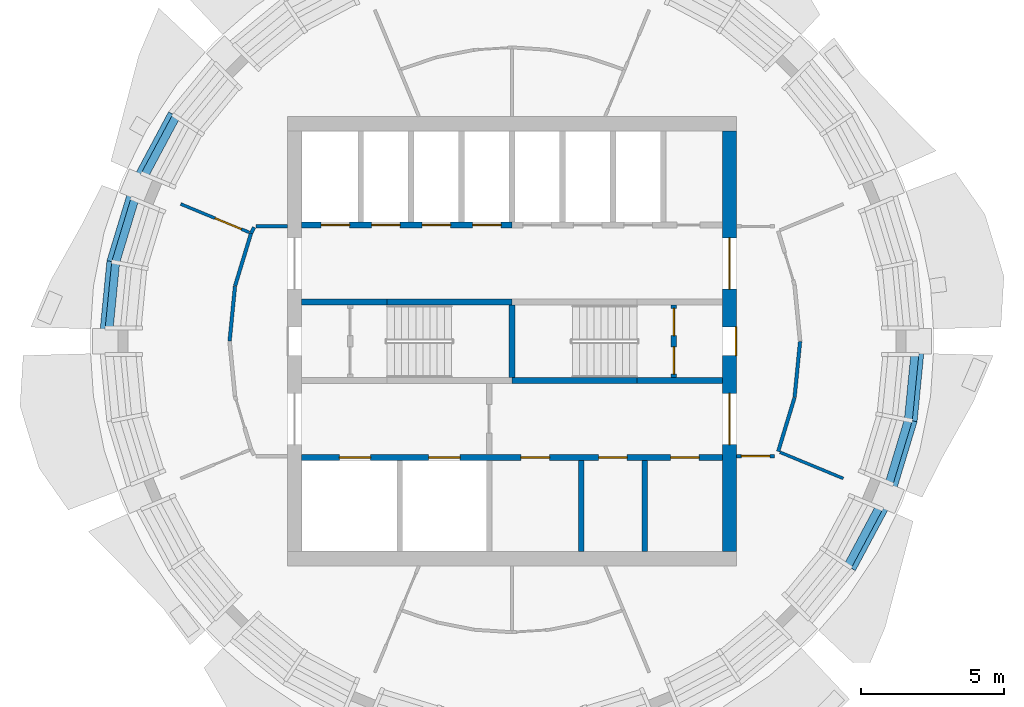
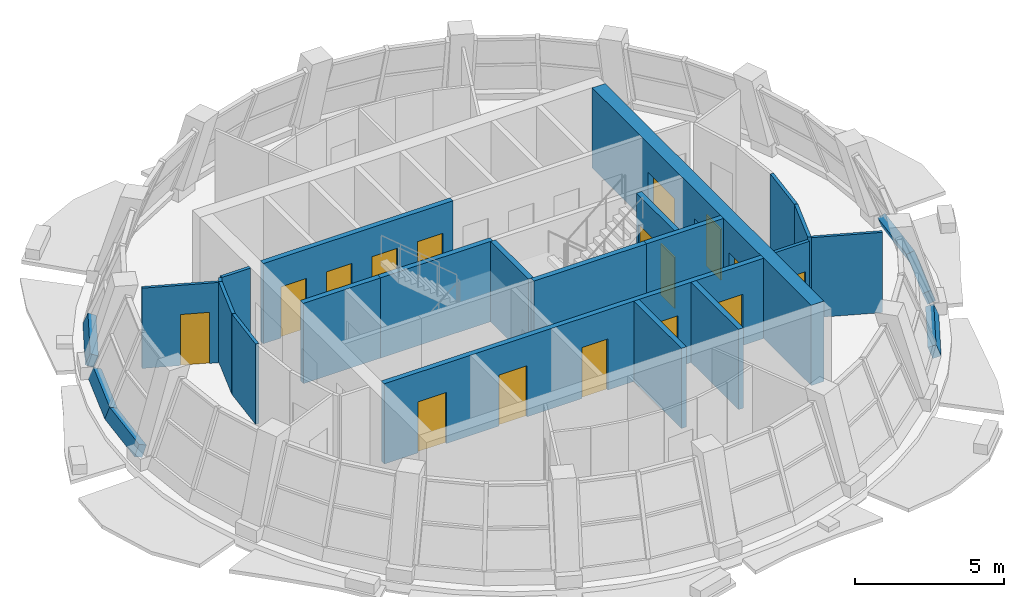
# One storey, part 6 of 12: 26 walls, 16 doors, 16 openings.
"""IFC4 building model written with IfcOpenShell, lengths in metres."""

from ifc_helpers import new_model, si_unit, direction, frame, frame_2d, origin, place, context, subcontext, project, spatial, polyline, rectangle, outline, extrude, material, layer, layer_set, type_object, element, fill, save


model = new_model("IFC4")

# Units and contexts
model_context = context("Model", 3, precision=1e-05, world=origin(), true_north=direction((0.0, 1.0)))
body_context = subcontext(model_context, "Body", "Model", "MODEL_VIEW")
ifc_project = project(units=[si_unit("LENGTHUNIT", "METRE"), si_unit("AREAUNIT", "SQUARE_METRE"), si_unit("VOLUMEUNIT", "CUBIC_METRE"), si_unit("PLANEANGLEUNIT", "RADIAN"), si_unit("MASSUNIT", "GRAM", prefix="KILO")], contexts=[model_context])

# Site, building, storey
site_placement = place(None, origin())
site = spatial("IfcSite", under=ifc_project, at=site_placement, CompositionType="ELEMENT")
building_placement = place(site_placement, origin())
building = spatial("IfcBuilding", under=site, at=building_placement, Name="Polderwave Tower", CompositionType="ELEMENT")
storey_placement = place(building_placement, frame((0.0, 0.0, 231.199951171875)))
storey = spatial("IfcBuildingStorey", under=building, at=storey_placement, Name="L63", CompositionType="ELEMENT", Elevation=231.199951171875)

# Wall, openings, doors
ifc_material_1 = material(Name="Concrete C60/75", Category="concrete")
ifc_layer_1 = layer(ifc_material_1, 0.5)
ifc_layer_set_1 = layer_set([ifc_layer_1], Name="CORE WALL 500 C60/75")
wall_type_1 = type_object("IfcWallType", Name="CORE WALL 500 C60/75", PredefinedType="SHEAR", material=ifc_layer_set_1)
wall_1_placement = place(storey_placement, frame((7.6240234375, -7.3740234375, 0.0), z_axis=(0.0, 0.0, 1.0), x_axis=(0.0, 1.0, 0.0)))
wall_1 = element("IfcWall", 1, at=wall_1_placement, inside=storey, type_object=wall_type_1, Name="ST-CORE-L63-E", PredefinedType="SHEAR", context=body_context, shape_type="SweptSolid", body=[
    extrude(rectangle(XDim=14.748046875, YDim=0.5, at=frame_2d((7.3740234375, 0.0))), origin(), (0.0, 0.0, 1.0), 3.300048828125),
])
opening_1_placement = place(wall_1_placement, frame((6.8740234375, 0.0, 0.0)))
opening_1 = element("IfcOpeningElement", 2, at=opening_1_placement, cuts=wall_1, Name="Opening L63-D22", PredefinedType="OPENING", context=body_context, shape_type="SweptSolid", body=[
    extrude(rectangle(XDim=1.0, YDim=2.10009765625, at=frame_2d((0.5, 1.050048828125))), frame((0.0, 0.260009765625, 0.0), z_axis=(0.0, -1.0, 0.0), x_axis=(1.0, 0.0, 0.0)), (0.0, 0.0, 1.0), 0.52001953125),
])
opening_2_placement = place(wall_1_placement, frame((3.74951171875, 0.0, 0.0)))
opening_2 = element("IfcOpeningElement", 3, at=opening_2_placement, cuts=wall_1, Name="Opening L63-D23", PredefinedType="OPENING", context=body_context, shape_type="SweptSolid", body=[
    extrude(rectangle(XDim=1.800048828125, YDim=2.10009765625, at=frame_2d((0.89990234375, 1.050048828125))), frame((0.0, 0.260009765625, 0.0), z_axis=(0.0, -1.0, 0.0), x_axis=(1.0, 0.0, 0.0)), (0.0, 0.0, 1.0), 0.52001953125),
])
opening_3_placement = place(wall_1_placement, frame((9.198486328125, 0.0, 0.0)))
opening_3 = element("IfcOpeningElement", 4, at=opening_3_placement, cuts=wall_1, Name="Opening L63-D24", PredefinedType="OPENING", context=body_context, shape_type="SweptSolid", body=[
    extrude(rectangle(XDim=1.800048828125, YDim=2.10009765625, at=frame_2d((0.89990234375, 1.050048828125))), frame((0.0, 0.260009765625, 0.0), z_axis=(0.0, -1.0, 0.0), x_axis=(1.0, 0.0, 0.0)), (0.0, 0.0, 1.0), 0.52001953125),
])
ifc_material_2 = material(Name="Steel fire door", Category="steel")
door_type_1 = type_object("IfcDoorType", Name="Lobby entry door pair 1800", OperationType="DOUBLE_DOOR_SINGLE_SWING", PredefinedType="DOOR", material=ifc_material_2)
door_1_placement = place(opening_2_placement, frame((1.800048828125, 0.0, 0.0), z_axis=(0.0, 0.0, 1.0), x_axis=(-1.0, 0.0, 0.0)))
door_1 = element("IfcDoor", 5, at=door_1_placement, inside=storey, type_object=door_type_1, Name="South lobby entry door", OperationType="DOUBLE_DOOR_SINGLE_SWING", OverallHeight=2.10009765625, OverallWidth=1.800048828125, PredefinedType="DOOR", context=body_context, shape_type="SweptSolid", body=[
    extrude(rectangle(XDim=1.800048828125, YDim=2.10009765625, at=frame_2d((0.89990234375, 1.050048828125))), frame((0.0, 0.02490234375, 0.0), z_axis=(0.0, -1.0, 0.0), x_axis=(1.0, 0.0, 0.0)), (0.0, 0.0, 1.0), 0.050048828125),
])
fill(opening_2, door_1)
door_2_placement = place(opening_3_placement, frame((1.800048828125, 0.0, 0.0), z_axis=(0.0, 0.0, 1.0), x_axis=(-1.0, 0.0, 0.0)))
door_2 = element("IfcDoor", 6, at=door_2_placement, inside=storey, type_object=door_type_1, Name="North lobby entry door", OperationType="DOUBLE_DOOR_SINGLE_SWING", OverallHeight=2.10009765625, OverallWidth=1.800048828125, PredefinedType="DOOR", context=body_context, shape_type="SweptSolid", body=[
    extrude(rectangle(XDim=1.800048828125, YDim=2.10009765625, at=frame_2d((0.89990234375, 1.050048828125))), frame((0.0, 0.02490234375, 0.0), z_axis=(0.0, -1.0, 0.0), x_axis=(1.0, 0.0, 0.0)), (0.0, 0.0, 1.0), 0.050048828125),
])
fill(opening_3, door_2)
door_type_2 = type_object("IfcDoorType", Name="Stair door 1000", OperationType="NOTDEFINED", PredefinedType="DOOR", material=ifc_material_2)
door_3_placement = place(opening_1_placement, frame((1.0, 0.0, 0.0), z_axis=(0.0, 0.0, 1.0), x_axis=(-1.0, 0.0, 0.0)))
door_3 = element("IfcDoor", 7, at=door_3_placement, inside=storey, type_object=door_type_2, Name="Stair B entry door", OperationType="SINGLE_SWING_LEFT", OverallHeight=2.10009765625, OverallWidth=1.0, PredefinedType="DOOR", context=body_context, shape_type="SweptSolid", body=[
    extrude(rectangle(XDim=1.0, YDim=2.10009765625, at=frame_2d((0.5, 1.050048828125))), frame((0.0, 0.25, 0.0), z_axis=(0.0, -1.0, 0.0), x_axis=(1.0, 0.0, 0.0)), (0.0, 0.0, 1.0), 0.050048828125),
])
fill(opening_1, door_3)

# Walls
ifc_material_3 = material(Name="Concrete C50/60 (board-marked)", Category="concrete")
ifc_layer_2 = layer(ifc_material_3, 0.300048828125)
ifc_layer_set_2 = layer_set([ifc_layer_2], Name="Concrete spandrel upstand C50/60")
wall_type_2 = type_object("IfcWallType", Name="Concrete spandrel upstand C50/60", PredefinedType="SOLIDWALL", material=ifc_layer_set_2)
wall_2_placement = place(storey_placement, frame((-12.0380859375, 8.043701171875, 0.0), z_axis=(-0.824402860411, 0.441126603603, 0.354636776631), x_axis=(-0.471787066311, -0.881712517728, 1.195964e-05)))
element("IfcWall", 8, at=wall_2_placement, inside=storey, type_object=wall_type_2, Name="Spandrel L63 7b", PredefinedType="SOLIDWALL", context=body_context, shape_type="SweptSolid", body=[
    extrude(outline(polyline([(0.0, 0.0), (2.433854395432529, 5.551115123125783e-17), (2.4167965805720697, 0.48119815178094155), (0.0169062473931503, 0.4812599802189296), (0.0, 0.0)])), origin(), (0.0, 0.0, -1.0), 0.300048828125),
])
wall_3_placement = place(storey_placement, frame((-13.494384765625, 5.15380859375, 0.0), z_axis=(-0.894631168658, 0.271094631402, 0.355165838574), x_axis=(-0.290000037325, -0.957026634075, 4.815507e-06)))
element("IfcWall", 9, at=wall_3_placement, inside=storey, type_object=wall_type_2, Name="Spandrel L63 8a", PredefinedType="SOLIDWALL", context=body_context, shape_type="SweptSolid", body=[
    extrude(outline(polyline([(0.0, 0.0), (2.433930962796164, 0.0), (2.417090508229403, 0.4813200037687998), (0.017066904765498103, 0.48134490520427625), (0.0, 0.0)])), origin(), (0.0, 0.0, -1.0), 0.300048828125),
])
wall_4_placement = place(storey_placement, frame((-14.2001953125, 2.824462890625, 0.0), z_axis=(-0.93035064291, 0.091755306795, 0.355005133642), x_axis=(-0.098145054237, -0.995172119915, 8.475565e-06)))
element("IfcWall", 10, at=wall_4_placement, inside=storey, type_object=wall_type_2, Name="Spandrel L63 8b", PredefinedType="SOLIDWALL", context=body_context, shape_type="SweptSolid", body=[
    extrude(outline(polyline([(0.0, 0.0), (2.4333735645715304, 1.3877787807814457e-17), (2.4165326581597246, 0.4812791180361181), (0.016756375359067092, 0.4813229358100159), (0.0, 0.0)])), origin(), (0.0, 0.0, -1.0), 0.300048828125),
])
wall_5_placement = place(storey_placement, frame((12.0380859375, -8.043701171875, 0.0), z_axis=(0.824402860411, -0.441126603603, 0.354636776631), x_axis=(0.471787066311, 0.881712517728, 1.195964e-05)))
element("IfcWall", 11, at=wall_5_placement, inside=storey, type_object=wall_type_2, Name="Spandrel L63 15b", PredefinedType="SOLIDWALL", context=body_context, shape_type="SweptSolid", body=[
    extrude(outline(polyline([(0.0, 0.0), (2.433854395432529, 5.551115123125783e-17), (2.4167965805720697, 0.48119815178094155), (0.0169062473931503, 0.4812599802189296), (0.0, 0.0)])), origin(), (0.0, 0.0, -1.0), 0.300048828125),
])
wall_6_placement = place(storey_placement, frame((13.494384765625, -5.15380859375, 0.0), z_axis=(0.894631168658, -0.271094631402, 0.355165838574), x_axis=(0.290000037325, 0.957026634075, 4.815507e-06)))
element("IfcWall", 12, at=wall_6_placement, inside=storey, type_object=wall_type_2, Name="Spandrel L63 16a", PredefinedType="SOLIDWALL", context=body_context, shape_type="SweptSolid", body=[
    extrude(outline(polyline([(0.0, 0.0), (2.433930962796164, 0.0), (2.417090508229403, 0.4813200037687998), (0.017066904765498103, 0.48134490520427625), (0.0, 0.0)])), origin(), (0.0, 0.0, -1.0), 0.300048828125),
])
wall_7_placement = place(storey_placement, frame((14.2001953125, -2.824462890625, 0.0), z_axis=(0.93035064291, -0.091755306795, 0.355005133642), x_axis=(0.098145054237, 0.995172119915, 8.475565e-06)))
element("IfcWall", 13, at=wall_7_placement, inside=storey, type_object=wall_type_2, Name="Spandrel L63 16b", PredefinedType="SOLIDWALL", context=body_context, shape_type="SweptSolid", body=[
    extrude(outline(polyline([(0.0, 0.0), (2.4333735645715304, 1.3877787807814457e-17), (2.4165326581597246, 0.4812791180361181), (0.016756375359067092, 0.4813229358100159), (0.0, 0.0)])), origin(), (0.0, 0.0, -1.0), 0.300048828125),
])
ifc_material_4 = material(Name="Gypsum board partition")
ifc_layer_3 = layer(ifc_material_4, 0.199951171875)
ifc_layer_set_3 = layer_set([ifc_layer_3], Name="Core room partition 200")
wall_type_3 = type_object("IfcWallType", Name="Core room partition 200", PredefinedType="PARTITIONING", material=ifc_layer_set_3)
for number, where, z_axis, x_axis, name in (
    (14, (2.42919921875, -7.3740234375, 0.0), (0.0, 0.0, 1.0), (0.0, 1.0, 0.0), "L63 room partition S1"),
    (15, (4.648681640625, -7.3740234375, 0.0), (0.0, 0.0, 1.0), (0.0, 1.0, 0.0), "L63 room partition S2"),
):
    element("IfcWall", number, at=place(storey_placement, frame(where, z_axis=z_axis, x_axis=x_axis)), inside=storey, type_object=wall_type_3, Name=name, PredefinedType="PARTITIONING", context=body_context, shape_type="SweptSolid", body=[
        extrude(rectangle(XDim=3.199951171875, YDim=0.199951171875, at=frame_2d((1.60009765625, 0.0))), origin(), (0.0, 0.0, 1.0), 3.300048828125),
    ])

# Wall, openings, doors
wall_8_placement = place(storey_placement, frame((5.674072265625, -1.27490234375, 0.0), z_axis=(0.0, 0.0, 1.0), x_axis=(0.0, 1.0, 0.0)))
wall_8 = element("IfcWall", 16, at=wall_8_placement, inside=storey, type_object=wall_type_3, Name="L63 smoke lobby wall B", PredefinedType="PARTITIONING", context=body_context, shape_type="SweptSolid", body=[
    extrude(rectangle(XDim=2.5498046875, YDim=0.199951171875, at=frame_2d((1.27490234375, 0.0))), origin(), (0.0, 0.0, 1.0), 3.300048828125),
])
opening_4_placement = place(wall_8_placement, frame((0.125, 0.0, 0.0)))
opening_4 = element("IfcOpeningElement", 17, at=opening_4_placement, cuts=wall_8, Name="Opening L63-D12", PredefinedType="OPENING", context=body_context, shape_type="SweptSolid", body=[
    extrude(rectangle(XDim=0.949951171875, YDim=2.10009765625, at=frame_2d((0.47509765625, 1.050048828125))), frame((0.0, 0.10986328125, 0.0), z_axis=(0.0, -1.0, 0.0), x_axis=(1.0, 0.0, 0.0)), (0.0, 0.0, 1.0), 0.219970703125),
])
opening_5_placement = place(wall_8_placement, frame((1.47509765625, 0.0, 0.0)))
opening_5 = element("IfcOpeningElement", 18, at=opening_5_placement, cuts=wall_8, Name="Opening L63-D13", PredefinedType="OPENING", context=body_context, shape_type="SweptSolid", body=[
    extrude(rectangle(XDim=0.949951171875, YDim=2.10009765625, at=frame_2d((0.47509765625, 1.050048828125))), frame((0.0, 0.10986328125, 0.0), z_axis=(0.0, -1.0, 0.0), x_axis=(1.0, 0.0, 0.0)), (0.0, 0.0, 1.0), 0.219970703125),
])
door_type_3 = type_object("IfcDoorType", Name="Smoke lobby door 950", OperationType="NOTDEFINED", PredefinedType="DOOR", material=ifc_material_2)
door_4_placement = place(opening_4_placement, frame((0.949951171875, 0.0, 0.0), z_axis=(0.0, 0.0, 1.0), x_axis=(-1.0, 0.0, 0.0)))
door_4 = element("IfcDoor", 19, at=door_4_placement, inside=storey, type_object=door_type_3, Name="Stair B smoke lobby inner door", OperationType="SINGLE_SWING_RIGHT", OverallHeight=2.10009765625, OverallWidth=0.949951171875, PredefinedType="DOOR", context=body_context, shape_type="SweptSolid", body=[
    extrude(rectangle(XDim=0.949951171875, YDim=2.10009765625, at=frame_2d((0.47509765625, 1.050048828125))), frame((0.0, 0.02490234375, 0.0), z_axis=(0.0, -1.0, 0.0), x_axis=(1.0, 0.0, 0.0)), (0.0, 0.0, 1.0), 0.050048828125),
])
fill(opening_4, door_4)
door_5_placement = place(opening_5_placement, frame((0.949951171875, 0.0, 0.0), z_axis=(0.0, 0.0, 1.0), x_axis=(-1.0, 0.0, 0.0)))
door_5 = element("IfcDoor", 20, at=door_5_placement, inside=storey, type_object=door_type_3, Name="Stair B smoke lobby inner door", OperationType="SINGLE_SWING_LEFT", OverallHeight=2.10009765625, OverallWidth=0.949951171875, PredefinedType="DOOR", context=body_context, shape_type="SweptSolid", body=[
    extrude(rectangle(XDim=0.949951171875, YDim=2.10009765625, at=frame_2d((0.47509765625, 1.050048828125))), frame((0.0, 0.02490234375, 0.0), z_axis=(0.0, -1.0, 0.0), x_axis=(1.0, 0.0, 0.0)), (0.0, 0.0, 1.0), 0.050048828125),
])
fill(opening_5, door_5)

ifc_material_5 = material(Name="Concrete C50/60", Category="concrete")
ifc_layer_4 = layer(ifc_material_5, 0.199951171875)
ifc_layer_set_4 = layer_set([ifc_layer_4], Name="Core web wall 200")
wall_type_4 = type_object("IfcWallType", Name="Core web wall 200", PredefinedType="SHEAR", material=ifc_layer_set_4)
wall_9_placement = place(storey_placement, frame((-7.3740234375, -4.073974609375, 0.0), z_axis=(0.0, 0.0, 1.0), x_axis=(1.0, 0.0, 0.0)))
wall_9 = element("IfcWall", 21, at=wall_9_placement, inside=storey, type_object=wall_type_4, Name="L63 south front wall", PredefinedType="SHEAR", context=body_context, shape_type="SweptSolid", body=[
    extrude(rectangle(XDim=14.748046875, YDim=0.199951171875, at=frame_2d((7.3740234375, 0.0))), origin(), (0.0, 0.0, 1.0), 3.300048828125),
])
opening_6_placement = place(wall_9_placement, frame((1.318603515625, 0.0, 0.0)))
opening_6 = element("IfcOpeningElement", 22, at=opening_6_placement, cuts=wall_9, Name="Opening L63-D01", PredefinedType="OPENING", context=body_context, shape_type="SweptSolid", body=[
    extrude(rectangle(XDim=1.10009765625, YDim=2.10009765625, at=frame_2d((0.550048828125, 1.050048828125))), frame((0.0, 0.10986328125, 0.0), z_axis=(0.0, -1.0, 0.0), x_axis=(1.0, 0.0, 0.0)), (0.0, 0.0, 1.0), 0.219970703125),
])
opening_7_placement = place(wall_9_placement, frame((4.45556640625, 0.0, 0.0)))
opening_7 = element("IfcOpeningElement", 23, at=opening_7_placement, cuts=wall_9, Name="Opening L63-D02", PredefinedType="OPENING", context=body_context, shape_type="SweptSolid", body=[
    extrude(rectangle(XDim=1.10009765625, YDim=2.10009765625, at=frame_2d((0.550048828125, 1.050048828125))), frame((0.0, 0.10986328125, 0.0), z_axis=(0.0, -1.0, 0.0), x_axis=(1.0, 0.0, 0.0)), (0.0, 0.0, 1.0), 0.219970703125),
])
opening_8_placement = place(wall_9_placement, frame((7.688720703125, 0.0, 0.0)))
opening_8 = element("IfcOpeningElement", 24, at=opening_8_placement, cuts=wall_9, Name="Opening L63-D15", PredefinedType="OPENING", context=body_context, shape_type="SweptSolid", body=[
    extrude(rectangle(XDim=1.0, YDim=2.10009765625, at=frame_2d((0.5, 1.050048828125))), frame((0.0, 0.10986328125, 0.0), z_axis=(0.0, -1.0, 0.0), x_axis=(1.0, 0.0, 0.0)), (0.0, 0.0, 1.0), 0.219970703125),
])
opening_9_placement = place(wall_9_placement, frame((10.412841796875, 0.0, 0.0)))
opening_9 = element("IfcOpeningElement", 25, at=opening_9_placement, cuts=wall_9, Name="Opening L63-D16", PredefinedType="OPENING", context=body_context, shape_type="SweptSolid", body=[
    extrude(rectangle(XDim=1.0, YDim=2.10009765625, at=frame_2d((0.5, 1.050048828125))), frame((0.0, 0.10986328125, 0.0), z_axis=(0.0, -1.0, 0.0), x_axis=(1.0, 0.0, 0.0)), (0.0, 0.0, 1.0), 0.219970703125),
])
opening_10_placement = place(wall_9_placement, frame((12.935302734375, 0.0, 0.0)))
opening_10 = element("IfcOpeningElement", 26, at=opening_10_placement, cuts=wall_9, Name="Opening L63-D17", PredefinedType="OPENING", context=body_context, shape_type="SweptSolid", body=[
    extrude(rectangle(XDim=1.0, YDim=2.10009765625, at=frame_2d((0.5, 1.050048828125))), frame((0.0, 0.10986328125, 0.0), z_axis=(0.0, -1.0, 0.0), x_axis=(1.0, 0.0, 0.0)), (0.0, 0.0, 1.0), 0.219970703125),
])
ifc_material_6 = material(Name="Stainless steel", Category="steel")
door_type_4 = type_object("IfcDoorType", Name="Fire-fighting lift landing door 1100", OperationType="DOUBLE_DOOR_SLIDING", PredefinedType="DOOR", material=ifc_material_6)
door_6_placement = place(opening_6_placement, origin())
door_6 = element("IfcDoor", 27, at=door_6_placement, inside=storey, type_object=door_type_4, Name="Fire-fighting lift FF1 landing door", OperationType="DOUBLE_DOOR_SLIDING", OverallHeight=2.10009765625, OverallWidth=1.10009765625, PredefinedType="DOOR", context=body_context, shape_type="SweptSolid", body=[
    extrude(rectangle(XDim=1.10009765625, YDim=2.10009765625, at=frame_2d((0.550048828125, 1.050048828125))), frame((0.0, 0.02490234375, 0.0), z_axis=(0.0, -1.0, 0.0), x_axis=(1.0, 0.0, 0.0)), (0.0, 0.0, 1.0), 0.050048828125),
])
fill(opening_6, door_6)
door_7_placement = place(opening_7_placement, origin())
door_7 = element("IfcDoor", 28, at=door_7_placement, inside=storey, type_object=door_type_4, Name="Fire-fighting lift FF2 landing door", OperationType="DOUBLE_DOOR_SLIDING", OverallHeight=2.10009765625, OverallWidth=1.10009765625, PredefinedType="DOOR", context=body_context, shape_type="SweptSolid", body=[
    extrude(rectangle(XDim=1.10009765625, YDim=2.10009765625, at=frame_2d((0.550048828125, 1.050048828125))), frame((0.0, 0.02490234375, 0.0), z_axis=(0.0, -1.0, 0.0), x_axis=(1.0, 0.0, 0.0)), (0.0, 0.0, 1.0), 0.050048828125),
])
fill(opening_7, door_7)
ifc_material_7 = material(Name="Timber door leaf", Category="wood")
door_type_5 = type_object("IfcDoorType", Name="Room door 1000", OperationType="NOTDEFINED", PredefinedType="DOOR", material=ifc_material_7)
door_8_placement = place(opening_8_placement, frame((1.0, 0.0, 0.0), z_axis=(0.0, 0.0, 1.0), x_axis=(-1.0, 0.0, 0.0)))
door_8 = element("IfcDoor", 29, at=door_8_placement, inside=storey, type_object=door_type_5, Name="IT room door", OperationType="SINGLE_SWING_LEFT", OverallHeight=2.10009765625, OverallWidth=1.0, PredefinedType="DOOR", context=body_context, shape_type="SweptSolid", body=[
    extrude(rectangle(XDim=1.0, YDim=2.10009765625, at=frame_2d((0.5, 1.050048828125))), frame((0.0, 0.02490234375, 0.0), z_axis=(0.0, -1.0, 0.0), x_axis=(1.0, 0.0, 0.0)), (0.0, 0.0, 1.0), 0.050048828125),
])
fill(opening_8, door_8)
door_9_placement = place(opening_9_placement, frame((1.0, 0.0, 0.0), z_axis=(0.0, 0.0, 1.0), x_axis=(-1.0, 0.0, 0.0)))
door_9 = element("IfcDoor", 30, at=door_9_placement, inside=storey, type_object=door_type_5, Name="Housekeeping store door", OperationType="SINGLE_SWING_LEFT", OverallHeight=2.10009765625, OverallWidth=1.0, PredefinedType="DOOR", context=body_context, shape_type="SweptSolid", body=[
    extrude(rectangle(XDim=1.0, YDim=2.10009765625, at=frame_2d((0.5, 1.050048828125))), frame((0.0, 0.02490234375, 0.0), z_axis=(0.0, -1.0, 0.0), x_axis=(1.0, 0.0, 0.0)), (0.0, 0.0, 1.0), 0.050048828125),
])
fill(opening_9, door_9)
door_10_placement = place(opening_10_placement, frame((1.0, 0.0, 0.0), z_axis=(0.0, 0.0, 1.0), x_axis=(-1.0, 0.0, 0.0)))
door_10 = element("IfcDoor", 31, at=door_10_placement, inside=storey, type_object=door_type_5, Name="Store door", OperationType="SINGLE_SWING_LEFT", OverallHeight=2.10009765625, OverallWidth=1.0, PredefinedType="DOOR", context=body_context, shape_type="SweptSolid", body=[
    extrude(rectangle(XDim=1.0, YDim=2.10009765625, at=frame_2d((0.5, 1.050048828125))), frame((0.0, 0.02490234375, 0.0), z_axis=(0.0, -1.0, 0.0), x_axis=(1.0, 0.0, 0.0)), (0.0, 0.0, 1.0), 0.050048828125),
])
fill(opening_10, door_10)

wall_10_placement = place(storey_placement, frame((-7.3740234375, 4.073974609375, 0.0), z_axis=(0.0, 0.0, 1.0), x_axis=(1.0, 0.0, 0.0)))
wall_10 = element("IfcWall", 32, at=wall_10_placement, inside=storey, type_object=wall_type_4, Name="L63 north front wall 1", PredefinedType="SHEAR", context=body_context, shape_type="SweptSolid", body=[
    extrude(rectangle(XDim=7.3740234375, YDim=0.199951171875, at=frame_2d((3.68701171875, 0.0))), origin(), (0.0, 0.0, 1.0), 3.300048828125),
])
opening_11_placement = place(wall_10_placement, frame((0.68408203125, 0.0, 0.0)))
opening_11 = element("IfcOpeningElement", 33, at=opening_11_placement, cuts=wall_10, Name="Opening L63-D03", PredefinedType="OPENING", context=body_context, shape_type="SweptSolid", body=[
    extrude(rectangle(XDim=1.0, YDim=2.10009765625, at=frame_2d((0.5, 1.050048828125))), frame((0.0, 0.10986328125, 0.0), z_axis=(0.0, -1.0, 0.0), x_axis=(1.0, 0.0, 0.0)), (0.0, 0.0, 1.0), 0.219970703125),
])
opening_12_placement = place(wall_10_placement, frame((2.45263671875, 0.0, 0.0)))
opening_12 = element("IfcOpeningElement", 34, at=opening_12_placement, cuts=wall_10, Name="Opening L63-D04", PredefinedType="OPENING", context=body_context, shape_type="SweptSolid", body=[
    extrude(rectangle(XDim=1.0, YDim=2.10009765625, at=frame_2d((0.5, 1.050048828125))), frame((0.0, 0.10986328125, 0.0), z_axis=(0.0, -1.0, 0.0), x_axis=(1.0, 0.0, 0.0)), (0.0, 0.0, 1.0), 0.219970703125),
])
opening_13_placement = place(wall_10_placement, frame((4.22119140625, 0.0, 0.0)))
opening_13 = element("IfcOpeningElement", 35, at=opening_13_placement, cuts=wall_10, Name="Opening L63-D05", PredefinedType="OPENING", context=body_context, shape_type="SweptSolid", body=[
    extrude(rectangle(XDim=1.0, YDim=2.10009765625, at=frame_2d((0.5, 1.050048828125))), frame((0.0, 0.10986328125, 0.0), z_axis=(0.0, -1.0, 0.0), x_axis=(1.0, 0.0, 0.0)), (0.0, 0.0, 1.0), 0.219970703125),
])
opening_14_placement = place(wall_10_placement, frame((5.98974609375, 0.0, 0.0)))
opening_14 = element("IfcOpeningElement", 36, at=opening_14_placement, cuts=wall_10, Name="Opening L63-D06", PredefinedType="OPENING", context=body_context, shape_type="SweptSolid", body=[
    extrude(rectangle(XDim=1.0, YDim=2.10009765625, at=frame_2d((0.5, 1.050048828125))), frame((0.0, 0.10986328125, 0.0), z_axis=(0.0, -1.0, 0.0), x_axis=(1.0, 0.0, 0.0)), (0.0, 0.0, 1.0), 0.219970703125),
])
door_type_6 = type_object("IfcDoorType", Name="Lift landing door 1000", OperationType="DOUBLE_DOOR_SLIDING", PredefinedType="DOOR", material=ifc_material_6)
door_11_placement = place(opening_11_placement, frame((1.0, 0.0, 0.0), z_axis=(0.0, 0.0, 1.0), x_axis=(-1.0, 0.0, 0.0)))
door_11 = element("IfcDoor", 37, at=door_11_placement, inside=storey, type_object=door_type_6, Name="Lift HL1 landing door", OperationType="DOUBLE_DOOR_SLIDING", OverallHeight=2.10009765625, OverallWidth=1.0, PredefinedType="DOOR", context=body_context, shape_type="SweptSolid", body=[
    extrude(rectangle(XDim=1.0, YDim=2.10009765625, at=frame_2d((0.5, 1.050048828125))), frame((0.0, 0.02490234375, 0.0), z_axis=(0.0, -1.0, 0.0), x_axis=(1.0, 0.0, 0.0)), (0.0, 0.0, 1.0), 0.050048828125),
])
fill(opening_11, door_11)
door_12_placement = place(opening_12_placement, frame((1.0, 0.0, 0.0), z_axis=(0.0, 0.0, 1.0), x_axis=(-1.0, 0.0, 0.0)))
door_12 = element("IfcDoor", 38, at=door_12_placement, inside=storey, type_object=door_type_6, Name="Lift HL2 landing door", OperationType="DOUBLE_DOOR_SLIDING", OverallHeight=2.10009765625, OverallWidth=1.0, PredefinedType="DOOR", context=body_context, shape_type="SweptSolid", body=[
    extrude(rectangle(XDim=1.0, YDim=2.10009765625, at=frame_2d((0.5, 1.050048828125))), frame((0.0, 0.02490234375, 0.0), z_axis=(0.0, -1.0, 0.0), x_axis=(1.0, 0.0, 0.0)), (0.0, 0.0, 1.0), 0.050048828125),
])
fill(opening_12, door_12)
door_13_placement = place(opening_13_placement, frame((1.0, 0.0, 0.0), z_axis=(0.0, 0.0, 1.0), x_axis=(-1.0, 0.0, 0.0)))
door_13 = element("IfcDoor", 39, at=door_13_placement, inside=storey, type_object=door_type_6, Name="Lift HL3 landing door", OperationType="DOUBLE_DOOR_SLIDING", OverallHeight=2.10009765625, OverallWidth=1.0, PredefinedType="DOOR", context=body_context, shape_type="SweptSolid", body=[
    extrude(rectangle(XDim=1.0, YDim=2.10009765625, at=frame_2d((0.5, 1.050048828125))), frame((0.0, 0.02490234375, 0.0), z_axis=(0.0, -1.0, 0.0), x_axis=(1.0, 0.0, 0.0)), (0.0, 0.0, 1.0), 0.050048828125),
])
fill(opening_13, door_13)
door_14_placement = place(opening_14_placement, frame((1.0, 0.0, 0.0), z_axis=(0.0, 0.0, 1.0), x_axis=(-1.0, 0.0, 0.0)))
door_14 = element("IfcDoor", 40, at=door_14_placement, inside=storey, type_object=door_type_6, Name="Lift HL4 landing door", OperationType="DOUBLE_DOOR_SLIDING", OverallHeight=2.10009765625, OverallWidth=1.0, PredefinedType="DOOR", context=body_context, shape_type="SweptSolid", body=[
    extrude(rectangle(XDim=1.0, YDim=2.10009765625, at=frame_2d((0.5, 1.050048828125))), frame((0.0, 0.02490234375, 0.0), z_axis=(0.0, -1.0, 0.0), x_axis=(1.0, 0.0, 0.0)), (0.0, 0.0, 1.0), 0.050048828125),
])
fill(opening_14, door_14)

# Walls
wall_11_placement = place(storey_placement, frame((0.0, -1.375, 0.0), z_axis=(0.0, 0.0, 1.0), x_axis=(1.0, 0.0, 0.0)))
element("IfcWall", 41, at=wall_11_placement, inside=storey, type_object=wall_type_4, Name="L63 south stair wall 3", PredefinedType="SHEAR", context=body_context, shape_type="SweptSolid", body=[
    extrude(rectangle(XDim=4.3740234375, YDim=0.199951171875, at=frame_2d((2.18701171875, 0.0))), origin(), (0.0, 0.0, 1.0), 3.300048828125),
])
for number, where, z_axis, x_axis, name in (
    (42, (4.3740234375, -1.375, 0.0), (0.0, 0.0, 1.0), (1.0, 0.0, 0.0), "L63 south stair wall 4"),
    (43, (-7.3740234375, 1.375, 0.0), (0.0, 0.0, 1.0), (1.0, 0.0, 0.0), "L63 north stair wall 1"),
):
    element("IfcWall", number, at=place(storey_placement, frame(where, z_axis=z_axis, x_axis=x_axis)), inside=storey, type_object=wall_type_4, Name=name, PredefinedType="SHEAR", context=body_context, shape_type="SweptSolid", body=[
        extrude(rectangle(XDim=3.0, YDim=0.199951171875, at=frame_2d((1.5, 0.0))), origin(), (0.0, 0.0, 1.0), 3.300048828125),
    ])
wall_12_placement = place(storey_placement, frame((-4.3740234375, 1.375, 0.0), z_axis=(0.0, 0.0, 1.0), x_axis=(1.0, 0.0, 0.0)))
element("IfcWall", 44, at=wall_12_placement, inside=storey, type_object=wall_type_4, Name="L63 north stair wall 2", PredefinedType="SHEAR", context=body_context, shape_type="SweptSolid", body=[
    extrude(rectangle(XDim=4.3740234375, YDim=0.199951171875, at=frame_2d((2.18701171875, 0.0))), origin(), (0.0, 0.0, 1.0), 3.300048828125),
])
wall_13_placement = place(storey_placement, frame((0.0, -1.27490234375, 0.0), z_axis=(0.0, 0.0, 1.0), x_axis=(0.0, 1.0, 0.0)))
element("IfcWall", 45, at=wall_13_placement, inside=storey, type_object=wall_type_4, Name="L63 wall between the stairs", PredefinedType="SHEAR", context=body_context, shape_type="SweptSolid", body=[
    extrude(rectangle(XDim=2.5498046875, YDim=0.199951171875, at=frame_2d((1.27490234375, 0.0))), origin(), (0.0, 0.0, 1.0), 3.300048828125),
])
ifc_material_8 = material(Name="Fire-resisting board on steel studs", Category="steel")
ifc_layer_5 = layer(ifc_material_8, 0.125)
ifc_layer_set_5 = layer_set([ifc_layer_5], Name="Corridor wall 125 mm EI 60")
wall_type_5 = type_object("IfcWallType", Name="Corridor wall 125 mm EI 60", PredefinedType="PARTITIONING", material=ifc_layer_set_5)
wall_14_placement = place(storey_placement, frame((9.904052734375, -1.976318359375, 0.0), z_axis=(0.0, 0.0, 1.0), x_axis=(-0.290206520171, -0.956964040939, 0.0)))
element("IfcWall", 46, at=wall_14_placement, inside=storey, type_object=wall_type_5, Name="IN-L63-W002", PredefinedType="PARTITIONING", context=body_context, shape_type="SweptSolid", body=[
    extrude(rectangle(XDim=1.9736328125, YDim=0.125, at=frame_2d((0.98681640625, 0.0))), origin(), (0.0, 0.0, 1.0), 3.300048828125),
])
wall_15_placement = place(storey_placement, frame((10.099365234375, -0.006103515625, 0.0), z_axis=(0.0, 0.0, 1.0), x_axis=(-0.098017196077, -0.995184721182, 0.0)))
element("IfcWall", 47, at=wall_15_placement, inside=storey, type_object=wall_type_5, Name="IN-L63-W004", PredefinedType="PARTITIONING", context=body_context, shape_type="SweptSolid", body=[
    extrude(rectangle(XDim=1.9677734375, YDim=0.125, at=frame_2d((0.98388671875, 0.0))), origin(), (0.0, 0.0, 1.0), 3.300048828125),
])

# Wall, opening, door
wall_16_placement = place(storey_placement, frame((9.20849609375, -4.0244140625, 0.0), z_axis=(0.0, 0.0, 1.0), x_axis=(-1.0, 0.0, 0.0)))
wall_16 = element("IfcWall", 48, at=wall_16_placement, inside=storey, type_object=wall_type_5, Name="IN-L63-W006", PredefinedType="PARTITIONING", context=body_context, shape_type="SweptSolid", body=[
    extrude(rectangle(XDim=1.33447265625, YDim=0.125, at=frame_2d((0.667236328125, 0.0))), origin(), (0.0, 0.0, 1.0), 3.300048828125),
])
opening_15_placement = place(wall_16_placement, frame((0.167236328125, 0.0, 0.0)))
opening_15 = element("IfcOpeningElement", 49, at=opening_15_placement, cuts=wall_16, Name="Opening L63-D52", PredefinedType="OPENING", context=body_context, shape_type="SweptSolid", body=[
    extrude(rectangle(XDim=1.0, YDim=2.10009765625, at=frame_2d((0.5, 1.050048828125))), frame((0.0, 0.072509765625, 0.0), z_axis=(0.0, -1.0, 0.0), x_axis=(1.0, 0.0, 0.0)), (0.0, 0.0, 1.0), 0.14501953125),
])
ifc_material_9 = material(Name="Timber fire door leaf", Category="wood")
door_type_7 = type_object("IfcDoorType", Name="Fire door FD30S 1000 x 2100", OperationType="NOTDEFINED", PredefinedType="DOOR", material=ifc_material_9)
door_15_placement = place(opening_15_placement, origin())
door_15 = element("IfcDoor", 50, at=door_15_placement, inside=storey, type_object=door_type_7, Name="Door L63-D52", OperationType="SINGLE_SWING_LEFT", OverallHeight=2.10009765625, OverallWidth=1.0, PredefinedType="DOOR", context=body_context, shape_type="SweptSolid", body=[
    extrude(rectangle(XDim=1.0, YDim=2.10009765625, at=frame_2d((0.5, 1.050048828125))), frame((0.0, 0.02490234375, 0.0), z_axis=(0.0, -1.0, 0.0), x_axis=(1.0, 0.0, 0.0)), (0.0, 0.0, 1.0), 0.050048828125),
])
fill(opening_15, door_15)

# Walls
wall_17_placement = place(storey_placement, frame((-9.146484375, 3.78857421875, 0.0), z_axis=(0.0, 0.0, 1.0), x_axis=(0.471249165364, 0.882000127066, 0.0)))
element("IfcWall", 51, at=wall_17_placement, inside=storey, type_object=wall_type_5, Name="IN-L63-W007", PredefinedType="PARTITIONING", context=body_context, shape_type="SweptSolid", body=[
    extrude(rectangle(XDim=0.22998046875, YDim=0.125, at=frame_2d((0.114990234375, 0.0))), origin(), (0.0, 0.0, 1.0), 3.300048828125),
])
wall_18_placement = place(storey_placement, frame((-8.98291015625, 4.0244140625, 0.0), z_axis=(0.0, 0.0, 1.0), x_axis=(1.0, 0.0, 0.0)))
element("IfcWall", 52, at=wall_18_placement, inside=storey, type_object=wall_type_5, Name="IN-L63-W008", PredefinedType="PARTITIONING", context=body_context, shape_type="SweptSolid", body=[
    extrude(rectangle(XDim=1.10888671875, YDim=0.125, at=frame_2d((0.554443359375, 0.0))), origin(), (0.0, 0.0, 1.0), 3.300048828125),
])
wall_19_placement = place(storey_placement, frame((-9.8994140625, 0.006103515625, 0.0), z_axis=(0.0, 0.0, 1.0), x_axis=(0.097986933069, 0.995187701365, 0.0)))
element("IfcWall", 53, at=wall_19_placement, inside=storey, type_object=wall_type_5, Name="IN-L63-W009", PredefinedType="PARTITIONING", context=body_context, shape_type="SweptSolid", body=[
    extrude(rectangle(XDim=1.928466796875, YDim=0.125, at=frame_2d((0.96435546875, 0.0))), origin(), (0.0, 0.0, 1.0), 3.300048828125),
])
wall_20_placement = place(storey_placement, frame((-9.7080078125, 1.937255859375, 0.0), z_axis=(0.0, 0.0, 1.0), x_axis=(0.29025256199, 0.956950077203, 0.0)))
element("IfcWall", 54, at=wall_20_placement, inside=storey, type_object=wall_type_5, Name="IN-L63-W011", PredefinedType="PARTITIONING", context=body_context, shape_type="SweptSolid", body=[
    extrude(rectangle(XDim=1.9345703125, YDim=0.125, at=frame_2d((0.96728515625, 0.0))), origin(), (0.0, 0.0, 1.0), 3.300048828125),
])
ifc_material_10 = material(Name="Moisture-resistant board on steel studs, tiled", Category="steel")
ifc_layer_6 = layer(ifc_material_10, 0.10498046875)
ifc_layer_set_6 = layer_set([ifc_layer_6], Name="Partition 105 mm wet room board and tile")
wall_type_6 = type_object("IfcWallType", Name="Partition 105 mm wet room board and tile", PredefinedType="PARTITIONING", material=ifc_layer_set_6)
wall_21_placement = place(storey_placement, frame((11.61328125, -4.810302734375, 0.0), z_axis=(0.0, 0.0, 1.0), x_axis=(-0.923886765284, 0.38266597044, 0.0)))
element("IfcWall", 55, at=wall_21_placement, inside=storey, type_object=wall_type_6, Name="IN-L63-W016", PredefinedType="PARTITIONING", context=body_context, shape_type="SweptSolid", body=[
    extrude(rectangle(XDim=2.402099609375, YDim=0.10498046875, at=frame_2d((1.201171875, 0.0))), origin(), (0.0, 0.0, 1.0), 3.300048828125),
])

# Wall, opening, door
wall_22_placement = place(storey_placement, frame((-11.61328125, 4.810302734375, 0.0), z_axis=(0.0, 0.0, 1.0), x_axis=(0.923904773076, -0.382622490566, 0.0)))
wall_22 = element("IfcWall", 56, at=wall_22_placement, inside=storey, type_object=wall_type_6, Name="IN-L63-W028", PredefinedType="PARTITIONING", context=body_context, shape_type="SweptSolid", body=[
    extrude(rectangle(XDim=2.60205078125, YDim=0.10498046875, at=frame_2d((1.301025390625, 0.0))), origin(), (0.0, 0.0, 1.0), 3.300048828125),
])
opening_16_placement = place(wall_22_placement, frame((1.300048828125, 0.0, 0.0)))
opening_16 = element("IfcOpeningElement", 57, at=opening_16_placement, cuts=wall_22, Name="Opening L63-D57", PredefinedType="OPENING", context=body_context, shape_type="SweptSolid", body=[
    extrude(rectangle(XDim=1.0, YDim=2.10009765625, at=frame_2d((0.5, 1.050048828125))), frame((0.0, 0.0625, 0.0), z_axis=(0.0, -1.0, 0.0), x_axis=(1.0, 0.0, 0.0)), (0.0, 0.0, 1.0), 0.125),
])
ifc_material_11 = material(Name="Timber veneer door leaf", Category="wood")
door_type_8 = type_object("IfcDoorType", Name="Single door 1000 x 2100", OperationType="NOTDEFINED", PredefinedType="DOOR", material=ifc_material_11)
door_16_placement = place(opening_16_placement, origin())
door_16 = element("IfcDoor", 58, at=door_16_placement, inside=storey, type_object=door_type_8, Name="Door L63-D57", OperationType="SINGLE_SWING_RIGHT", OverallHeight=2.10009765625, OverallWidth=1.0, PredefinedType="DOOR", context=body_context, shape_type="SweptSolid", body=[
    extrude(rectangle(XDim=1.0, YDim=2.10009765625, at=frame_2d((0.5, 1.050048828125))), frame((0.0, 0.02490234375, 0.0), z_axis=(0.0, -1.0, 0.0), x_axis=(1.0, 0.0, 0.0)), (0.0, 0.0, 1.0), 0.050048828125),
])
fill(opening_16, door_16)

save(model, "model.ifc")
